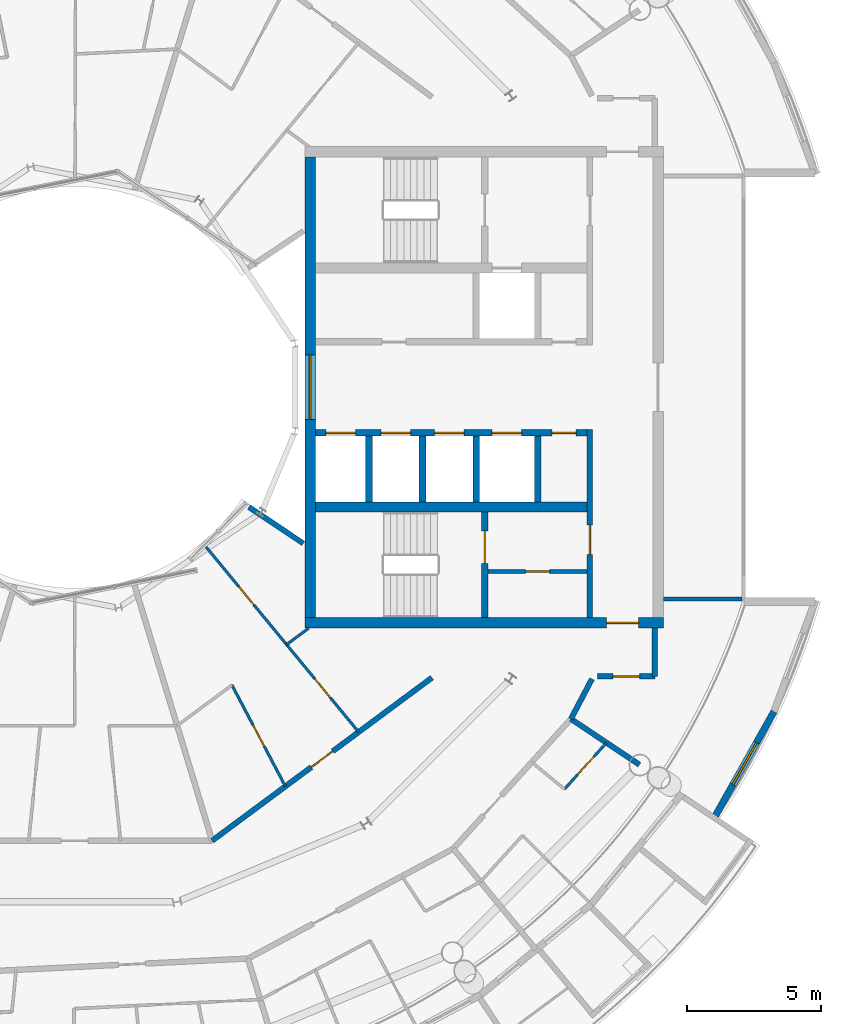
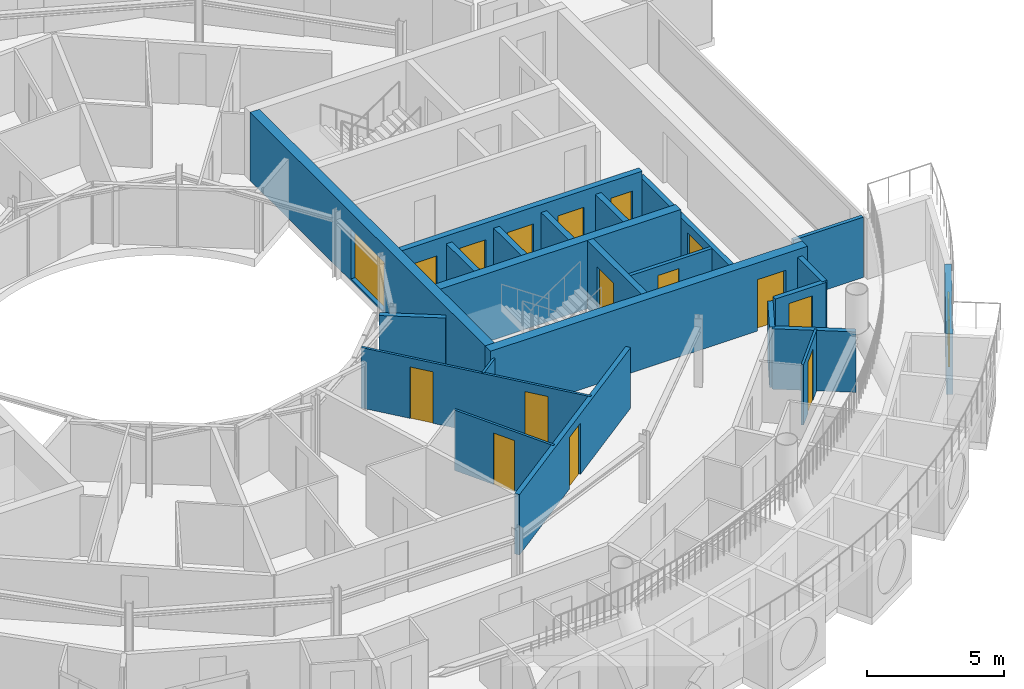
# One storey, part 18 of 29: 23 walls, 15 doors, 2 windows, 17 openings.
"""IFC4 building model written with IfcOpenShell, lengths in metres."""

from ifc_helpers import new_model, si_unit, direction, frame, frame_2d, origin, place, context, subcontext, project, spatial, rectangle, extrude, material, layer, layer_set, type_object, element, fill, save


model = new_model("IFC4")

# Units and contexts
model_context = context("Model", 3, precision=1e-05, world=origin(), true_north=direction((0.0, 1.0)))
body_context = subcontext(model_context, "Body", "Model", "MODEL_VIEW")
ifc_project = project(units=[si_unit("LENGTHUNIT", "METRE"), si_unit("AREAUNIT", "SQUARE_METRE"), si_unit("VOLUMEUNIT", "CUBIC_METRE"), si_unit("PLANEANGLEUNIT", "RADIAN"), si_unit("MASSUNIT", "GRAM", prefix="KILO")], contexts=[model_context])

# Site, building, storey
site_placement = place(None, origin())
site = spatial("IfcSite", under=ifc_project, at=site_placement, CompositionType="ELEMENT")
building_placement = place(site_placement, origin())
building = spatial("IfcBuilding", under=site, at=building_placement, Name="Maasbend Ring Residences", CompositionType="ELEMENT")
storey_placement = place(building_placement, frame((0.0, 0.0, 234.050048828125)))
storey = spatial("IfcBuildingStorey", under=building, at=storey_placement, Name="L67", CompositionType="ELEMENT", Elevation=234.050048828125)

# Wall, openings, doors
ifc_material_1 = material(Name="Concrete C50/60", Category="concrete")
ifc_layer_1 = layer(ifc_material_1, 0.25)
ifc_layer_set_1 = layer_set([ifc_layer_1], Name="Concrete C50/60")
wall_type_1 = type_object("IfcWallType", Name="CORE WALL 250 C50/60", PredefinedType="SHEAR", material=ifc_layer_set_1)
wall_1_placement = place(storey_placement, frame((19.14990234375, -1.699951171875, 0.0), z_axis=(0.0, 0.0, 1.0), x_axis=(-1.0, 0.0, 0.0)))
wall_1 = element("IfcWall", 1, at=wall_1_placement, inside=storey, type_object=wall_type_1, Name="L67 core E wall SPS", PredefinedType="SHEAR", context=body_context, shape_type="SweptSolid", body=[
    extrude(rectangle(XDim=10.14990234375, YDim=0.25, at=frame_2d((5.074951171875, 0.0))), origin(), (0.0, 0.0, 1.0), 3.050048828125),
])
opening_1_placement = place(wall_1_placement, frame((8.66259765625, 0.0, 0.0)))
opening_1 = element("IfcOpeningElement", 2, at=opening_1_placement, cuts=wall_1, Name="Opening LD-E6702", PredefinedType="OPENING", context=body_context, shape_type="SweptSolid", body=[
    extrude(rectangle(XDim=1.10009765625, YDim=2.300048828125, at=frame_2d((0.550048828125, 1.14990234375))), frame((0.0, 0.135009765625, 0.0), z_axis=(0.0, -1.0, 0.0), x_axis=(1.0, 0.0, 0.0)), (0.0, 0.0, 1.0), 0.27001953125),
])
opening_2_placement = place(wall_1_placement, frame((6.60009765625, 0.0, 0.0)))
opening_2 = element("IfcOpeningElement", 3, at=opening_2_placement, cuts=wall_1, Name="Opening LD-E6703", PredefinedType="OPENING", context=body_context, shape_type="SweptSolid", body=[
    extrude(rectangle(XDim=1.10009765625, YDim=2.300048828125, at=frame_2d((0.550048828125, 1.14990234375))), frame((0.0, 0.135009765625, 0.0), z_axis=(0.0, -1.0, 0.0), x_axis=(1.0, 0.0, 0.0)), (0.0, 0.0, 1.0), 0.27001953125),
])
opening_3_placement = place(wall_1_placement, frame((4.60009765625, 0.0, 0.0)))
opening_3 = element("IfcOpeningElement", 4, at=opening_3_placement, cuts=wall_1, Name="Opening LD-E6704", PredefinedType="OPENING", context=body_context, shape_type="SweptSolid", body=[
    extrude(rectangle(XDim=1.10009765625, YDim=2.300048828125, at=frame_2d((0.550048828125, 1.14990234375))), frame((0.0, 0.135009765625, 0.0), z_axis=(0.0, -1.0, 0.0), x_axis=(1.0, 0.0, 0.0)), (0.0, 0.0, 1.0), 0.27001953125),
])
opening_4_placement = place(wall_1_placement, frame((2.449951171875, 0.0, 0.0)))
opening_4 = element("IfcOpeningElement", 5, at=opening_4_placement, cuts=wall_1, Name="Opening LD-E6705", PredefinedType="OPENING", context=body_context, shape_type="SweptSolid", body=[
    extrude(rectangle(XDim=1.10009765625, YDim=2.300048828125, at=frame_2d((0.550048828125, 1.14990234375))), frame((0.0, 0.135009765625, 0.0), z_axis=(0.0, -1.0, 0.0), x_axis=(1.0, 0.0, 0.0)), (0.0, 0.0, 1.0), 0.27001953125),
])
opening_5_placement = place(wall_1_placement, frame((0.41259765625, 0.0, 0.0)))
opening_5 = element("IfcOpeningElement", 6, at=opening_5_placement, cuts=wall_1, Name="Opening D-E6708", PredefinedType="OPENING", context=body_context, shape_type="SweptSolid", body=[
    extrude(rectangle(XDim=0.89990234375, YDim=2.300048828125, at=frame_2d((0.449951171875, 1.14990234375))), frame((0.0, 0.135009765625, 0.0), z_axis=(0.0, -1.0, 0.0), x_axis=(1.0, 0.0, 0.0)), (0.0, 0.0, 1.0), 0.27001953125),
])
ifc_material_2 = material(Name="Stainless steel 316", Category="steel")
door_type_1 = type_object("IfcDoorType", Name="LANDING DOOR 1100 X 2300 FD60", OperationType="DOUBLE_DOOR_SLIDING", PredefinedType="DOOR", material=ifc_material_2)
door_1_placement = place(opening_1_placement, origin())
door_1 = element("IfcDoor", 7, at=door_1_placement, inside=storey, type_object=door_type_1, Name="Landing door HR-E1 L67", OperationType="DOUBLE_DOOR_SLIDING", OverallHeight=2.300048828125, OverallWidth=1.10009765625, PredefinedType="DOOR", context=body_context, shape_type="SweptSolid", body=[
    extrude(rectangle(XDim=1.10009765625, YDim=2.300048828125, at=frame_2d((0.550048828125, 1.14990234375))), frame((0.0, 0.02490234375, 0.0), z_axis=(0.0, -1.0, 0.0), x_axis=(1.0, 0.0, 0.0)), (0.0, 0.0, 1.0), 0.050048828125),
])
fill(opening_1, door_1)
door_2_placement = place(opening_2_placement, origin())
door_2 = element("IfcDoor", 8, at=door_2_placement, inside=storey, type_object=door_type_1, Name="Landing door HR-E2 L67", OperationType="DOUBLE_DOOR_SLIDING", OverallHeight=2.300048828125, OverallWidth=1.10009765625, PredefinedType="DOOR", context=body_context, shape_type="SweptSolid", body=[
    extrude(rectangle(XDim=1.10009765625, YDim=2.300048828125, at=frame_2d((0.550048828125, 1.14990234375))), frame((0.0, 0.02490234375, 0.0), z_axis=(0.0, -1.0, 0.0), x_axis=(1.0, 0.0, 0.0)), (0.0, 0.0, 1.0), 0.050048828125),
])
fill(opening_2, door_2)
door_3_placement = place(opening_3_placement, origin())
door_3 = element("IfcDoor", 9, at=door_3_placement, inside=storey, type_object=door_type_1, Name="Landing door HR-E3 L67", OperationType="DOUBLE_DOOR_SLIDING", OverallHeight=2.300048828125, OverallWidth=1.10009765625, PredefinedType="DOOR", context=body_context, shape_type="SweptSolid", body=[
    extrude(rectangle(XDim=1.10009765625, YDim=2.300048828125, at=frame_2d((0.550048828125, 1.14990234375))), frame((0.0, 0.02490234375, 0.0), z_axis=(0.0, -1.0, 0.0), x_axis=(1.0, 0.0, 0.0)), (0.0, 0.0, 1.0), 0.050048828125),
])
fill(opening_3, door_3)
door_4_placement = place(opening_4_placement, origin())
door_4 = element("IfcDoor", 10, at=door_4_placement, inside=storey, type_object=door_type_1, Name="Landing door SV-E L67", OperationType="DOUBLE_DOOR_SLIDING", OverallHeight=2.300048828125, OverallWidth=1.10009765625, PredefinedType="DOOR", context=body_context, shape_type="SweptSolid", body=[
    extrude(rectangle(XDim=1.10009765625, YDim=2.300048828125, at=frame_2d((0.550048828125, 1.14990234375))), frame((0.0, 0.02490234375, 0.0), z_axis=(0.0, -1.0, 0.0), x_axis=(1.0, 0.0, 0.0)), (0.0, 0.0, 1.0), 0.050048828125),
])
fill(opening_4, door_4)
ifc_material_3 = material(Name="Steel, powder coated", Category="steel")
door_type_2 = type_object("IfcDoorType", Name="ROOM DOOR 900 X 2300 FD30S", OperationType="NOTDEFINED", PredefinedType="DOOR", material=ifc_material_3)
door_5_placement = place(opening_5_placement, origin())
door_5 = element("IfcDoor", 11, at=door_5_placement, inside=storey, type_object=door_type_2, Name="Room door L67", OperationType="SINGLE_SWING_RIGHT", OverallHeight=2.300048828125, OverallWidth=0.89990234375, PredefinedType="DOOR", context=body_context, shape_type="SweptSolid", body=[
    extrude(rectangle(XDim=0.89990234375, YDim=2.300048828125, at=frame_2d((0.449951171875, 1.14990234375))), frame((0.0, 0.02490234375, 0.0), z_axis=(0.0, -1.0, 0.0), x_axis=(1.0, 0.0, 0.0)), (0.0, 0.0, 1.0), 0.050048828125),
])
fill(opening_5, door_5)

# Wall, opening, door
wall_2_placement = place(storey_placement, frame((15.324951171875, -8.60009765625, 0.0), z_axis=(0.0, 0.0, 1.0), x_axis=(0.0, 1.0, 0.0)))
wall_2 = element("IfcWall", 12, at=wall_2_placement, inside=storey, type_object=wall_type_1, Name="L67 core E wall STES", PredefinedType="SHEAR", context=body_context, shape_type="SweptSolid", body=[
    extrude(rectangle(XDim=3.9501953125, YDim=0.25, at=frame_2d((1.97509765625, 0.0))), origin(), (0.0, 0.0, 1.0), 3.050048828125),
])
opening_6_placement = place(wall_2_placement, frame((2.02490234375, 0.0, 0.0)))
opening_6 = element("IfcOpeningElement", 13, at=opening_6_placement, cuts=wall_2, Name="Opening D-E6711", PredefinedType="OPENING", context=body_context, shape_type="SweptSolid", body=[
    extrude(rectangle(XDim=1.199951171875, YDim=2.300048828125, at=frame_2d((0.60009765625, 1.14990234375))), frame((0.0, 0.135009765625, 0.0), z_axis=(0.0, -1.0, 0.0), x_axis=(1.0, 0.0, 0.0)), (0.0, 0.0, 1.0), 0.27001953125),
])
ifc_material_4 = material(Name="Steel, powder coated", Category="steel")
door_type_3 = type_object("IfcDoorType", Name="STAIR DOOR 1200 X 2300 FD60", OperationType="NOTDEFINED", PredefinedType="DOOR", material=ifc_material_4)
door_6_placement = place(opening_6_placement, origin())
door_6 = element("IfcDoor", 14, at=door_6_placement, inside=storey, type_object=door_type_3, Name="Stair door ST-E L67", OperationType="SINGLE_SWING_LEFT", OverallHeight=2.300048828125, OverallWidth=1.199951171875, PredefinedType="DOOR", context=body_context, shape_type="SweptSolid", body=[
    extrude(rectangle(XDim=1.199951171875, YDim=2.300048828125, at=frame_2d((0.60009765625, 1.14990234375))), frame((0.0, 0.02490234375, 0.0), z_axis=(0.0, -1.0, 0.0), x_axis=(1.0, 0.0, 0.0)), (0.0, 0.0, 1.0), 0.050048828125),
])
fill(opening_6, door_6)

# Wall
ifc_material_5 = material(Name="Concrete C50/60", Category="concrete")
ifc_layer_2 = layer(ifc_material_5, 0.375)
ifc_layer_set_2 = layer_set([ifc_layer_2], Name="Concrete C50/60")
wall_type_2 = type_object("IfcWallType", Name="CORE WALL 375 C50/60", PredefinedType="SHEAR", material=ifc_layer_set_2)
wall_3_placement = place(storey_placement, frame((9.0, -4.46240234375, 0.0), z_axis=(0.0, 0.0, 1.0), x_axis=(1.0, 0.0, 0.0)))
element("IfcWall", 15, at=wall_3_placement, inside=storey, type_object=wall_type_2, Name="L67 core E wall BS", PredefinedType="SHEAR", context=body_context, shape_type="SweptSolid", body=[
    extrude(rectangle(XDim=10.14990234375, YDim=0.375, at=frame_2d((5.074951171875, 0.0))), origin(), (0.0, 0.0, 1.0), 3.050048828125),
])

# Wall, opening, door
ifc_material_6 = material(Name="Concrete C50/60", Category="concrete")
ifc_layer_3 = layer(ifc_material_6, 0.39990234375)
ifc_layer_set_3 = layer_set([ifc_layer_3], Name="Concrete C50/60")
wall_type_3 = type_object("IfcWallType", Name="CORE WALL 400 C50/60", PredefinedType="SHEAR", material=ifc_layer_set_3)
wall_4_placement = place(storey_placement, frame((8.60009765625, -8.800048828125, 0.0), z_axis=(0.0, 0.0, 1.0), x_axis=(1.0, 0.0, 0.0)))
wall_4 = element("IfcWall", 16, at=wall_4_placement, inside=storey, type_object=wall_type_3, Name="L67 core E wall PS", PredefinedType="SHEAR", context=body_context, shape_type="SweptSolid", body=[
    extrude(rectangle(XDim=13.39990234375, YDim=0.39990234375, at=frame_2d((6.699951171875, 0.0))), origin(), (0.0, 0.0, 1.0), 3.050048828125),
])
opening_7_placement = place(wall_4_placement, frame((11.27490234375, 0.0, 0.0)))
opening_7 = element("IfcOpeningElement", 17, at=opening_7_placement, cuts=wall_4, Name="Opening D-E6715", PredefinedType="OPENING", context=body_context, shape_type="SweptSolid", body=[
    extrude(rectangle(XDim=1.199951171875, YDim=2.300048828125, at=frame_2d((0.60009765625, 1.14990234375))), frame((0.0, 0.2099609375, 0.0), z_axis=(0.0, -1.0, 0.0), x_axis=(1.0, 0.0, 0.0)), (0.0, 0.0, 1.0), 0.419921875),
])
ifc_material_7 = material(Name="Steel, powder coated", Category="steel")
door_type_4 = type_object("IfcDoorType", Name="CORRIDOR DOOR 1200 X 2300 FD30S", OperationType="NOTDEFINED", PredefinedType="DOOR", material=ifc_material_7)
door_7_placement = place(opening_7_placement, origin())
door_7 = element("IfcDoor", 18, at=door_7_placement, inside=storey, type_object=door_type_4, Name="Corridor door L67", OperationType="SINGLE_SWING_LEFT", OverallHeight=2.300048828125, OverallWidth=1.199951171875, PredefinedType="DOOR", context=body_context, shape_type="SweptSolid", body=[
    extrude(rectangle(XDim=1.199951171875, YDim=2.300048828125, at=frame_2d((0.60009765625, 1.14990234375))), frame((0.0, 0.02490234375, 0.0), z_axis=(0.0, -1.0, 0.0), x_axis=(1.0, 0.0, 0.0)), (0.0, 0.0, 1.0), 0.050048828125),
])
fill(opening_7, door_7)

# Wall, opening, window
wall_5_placement = place(storey_placement, frame((8.800048828125, -8.60009765625, 0.0), z_axis=(0.0, 0.0, 1.0), x_axis=(0.0, 1.0, 0.0)))
wall_5 = element("IfcWall", 19, at=wall_5_placement, inside=storey, type_object=wall_type_3, Name="L67 core E wall PIN", PredefinedType="SHEAR", context=body_context, shape_type="SweptSolid", body=[
    extrude(rectangle(XDim=17.2001953125, YDim=0.39990234375, at=frame_2d((8.60009765625, 0.0))), origin(), (0.0, 0.0, 1.0), 3.050048828125),
])
opening_8_placement = place(wall_5_placement, frame((7.39990234375, 0.0, 0.10009765625)))
opening_8 = element("IfcOpeningElement", 20, at=opening_8_placement, cuts=wall_5, Name="Opening W-E6701", PredefinedType="OPENING", context=body_context, shape_type="SweptSolid", body=[
    extrude(rectangle(XDim=2.39990234375, YDim=2.199951171875, at=frame_2d((1.199951171875, 1.10009765625))), frame((0.0, 0.2099609375, 0.0), z_axis=(0.0, -1.0, 0.0), x_axis=(1.0, 0.0, 0.0)), (0.0, 0.0, 1.0), 0.419921875),
])
ifc_material_8 = material(Name="Aluminium frame and clear glass", Category="aluminium")
window_type_1 = type_object("IfcWindowType", Name="FIXED WINDOW 2400 X 2200", PartitioningType="SINGLE_PANEL", PredefinedType="WINDOW", material=ifc_material_8)
window_1_placement = place(opening_8_placement, origin())
window_1 = element("IfcWindow", 21, at=window_1_placement, inside=storey, type_object=window_type_1, Name="Lobby window L67", OverallHeight=2.199951171875, OverallWidth=2.39990234375, PartitioningType="SINGLE_PANEL", PredefinedType="WINDOW", context=body_context, shape_type="SweptSolid", body=[
    extrude(rectangle(XDim=2.39990234375, YDim=2.199951171875, at=frame_2d((1.199951171875, 1.10009765625))), frame((0.0, 0.030029296875, 0.0), z_axis=(0.0, -1.0, 0.0), x_axis=(1.0, 0.0, 0.0)), (0.0, 0.0, 1.0), 0.06005859375),
])
fill(opening_8, window_1)

# Walls
ifc_material_9 = material(Name="Concrete C30/37", Category="concrete")
ifc_layer_4 = layer(ifc_material_9, 0.199951171875)
ifc_layer_set_4 = layer_set([ifc_layer_4], Name="Concrete C30/37")
wall_type_4 = type_object("IfcWallType", Name="CORRIDOR WALL 200 CONCRETE", PredefinedType="PARTITIONING", material=ifc_layer_set_4)
wall_6_placement = place(storey_placement, frame((18.5419921875, -12.388916015625, 0.0), z_axis=(0.0, 0.0, 1.0), x_axis=(0.465812036273, 0.88488369115, 0.0)))
element("IfcWall", 22, at=wall_6_placement, inside=storey, type_object=wall_type_4, Name="U-L67-w012", PredefinedType="PARTITIONING", context=body_context, shape_type="SweptSolid", body=[
    extrude(rectangle(XDim=1.687255859375, YDim=0.199951171875, at=frame_2d((0.84375, 0.0))), origin(), (0.0, 0.0, 1.0), 2.699951171875),
])
wall_7_placement = place(storey_placement, frame((21.675048828125, -10.800048828125, 0.0), z_axis=(0.0, 0.0, 1.0), x_axis=(0.0, 1.0, 0.0)))
element("IfcWall", 23, at=wall_7_placement, inside=storey, type_object=wall_type_4, Name="U-L67-w017", PredefinedType="PARTITIONING", context=body_context, shape_type="SweptSolid", body=[
    extrude(rectangle(XDim=1.800048828125, YDim=0.199951171875, at=frame_2d((0.89990234375, 0.0))), origin(), (0.0, 0.0, 1.0), 2.699951171875),
])

# Wall, opening, door
wall_8_placement = place(storey_placement, frame((5.136962890625, -16.93798828125, 0.0), z_axis=(0.0, 0.0, 1.0), x_axis=(0.803229232922, 0.595670042371, 0.0)))
wall_8 = element("IfcWall", 24, at=wall_8_placement, inside=storey, type_object=wall_type_4, Name="U-L67-w022", PredefinedType="PARTITIONING", context=body_context, shape_type="SweptSolid", body=[
    extrude(rectangle(XDim=10.223876953125, YDim=0.199951171875, at=frame_2d((5.11181640625, 0.0))), origin(), (0.0, 0.0, 1.0), 2.699951171875),
])
opening_9_placement = place(wall_8_placement, frame((4.612060546875, 0.0, 0.0)))
opening_9 = element("IfcOpeningElement", 25, at=opening_9_placement, cuts=wall_8, Name="Opening D-6762", PredefinedType="OPENING", context=body_context, shape_type="SweptSolid", body=[
    extrude(rectangle(XDim=1.0, YDim=2.300048828125, at=frame_2d((0.5, 1.14990234375))), frame((0.0, 0.10986328125, 0.0), z_axis=(0.0, -1.0, 0.0), x_axis=(1.0, 0.0, 0.0)), (0.0, 0.0, 1.0), 0.219970703125),
])
ifc_material_10 = material(Name="Timber, fire-rated, painted", Category="wood")
door_type_5 = type_object("IfcDoorType", Name="FLAT ENTRANCE DOOR 1000 X 2300 FIRE-RATED", OperationType="NOTDEFINED", PredefinedType="DOOR", material=ifc_material_10)
door_8_placement = place(opening_9_placement, origin())
door_8 = element("IfcDoor", 26, at=door_8_placement, inside=storey, type_object=door_type_5, Name="D-6762", OperationType="SINGLE_SWING_RIGHT", OverallHeight=2.300048828125, OverallWidth=1.0, PredefinedType="DOOR", context=body_context, shape_type="SweptSolid", body=[
    extrude(rectangle(XDim=1.0, YDim=2.300048828125, at=frame_2d((0.5, 1.14990234375))), frame((0.0, 0.02490234375, 0.0), z_axis=(0.0, -1.0, 0.0), x_axis=(1.0, 0.0, 0.0)), (0.0, 0.0, 1.0), 0.050048828125),
])
fill(opening_9, door_8)

wall_9_placement = place(storey_placement, frame((19.54296875, -10.800048828125, 0.0), z_axis=(0.0, 0.0, 1.0), x_axis=(1.0, 0.0, 0.0)))
wall_9 = element("IfcWall", 27, at=wall_9_placement, inside=storey, type_object=wall_type_4, Name="U-L67-w030", PredefinedType="PARTITIONING", context=body_context, shape_type="SweptSolid", body=[
    extrude(rectangle(XDim=2.132080078125, YDim=0.199951171875, at=frame_2d((1.06591796875, 0.0))), origin(), (0.0, 0.0, 1.0), 2.699951171875),
])
opening_10_placement = place(wall_9_placement, frame((0.56591796875, 0.0, 0.0)))
opening_10 = element("IfcOpeningElement", 28, at=opening_10_placement, cuts=wall_9, Name="Opening D-6768", PredefinedType="OPENING", context=body_context, shape_type="SweptSolid", body=[
    extrude(rectangle(XDim=1.0, YDim=2.300048828125, at=frame_2d((0.5, 1.14990234375))), frame((0.0, 0.10986328125, 0.0), z_axis=(0.0, -1.0, 0.0), x_axis=(1.0, 0.0, 0.0)), (0.0, 0.0, 1.0), 0.219970703125),
])
ifc_material_11 = material(Name="Timber, painted", Category="wood")
door_type_6 = type_object("IfcDoorType", Name="ROOM DOOR 1000 X 2300", OperationType="NOTDEFINED", PredefinedType="DOOR", material=ifc_material_11)
door_9_placement = place(opening_10_placement, origin())
door_9 = element("IfcDoor", 29, at=door_9_placement, inside=storey, type_object=door_type_6, Name="D-6768", OperationType="SINGLE_SWING_RIGHT", OverallHeight=2.300048828125, OverallWidth=1.0, PredefinedType="DOOR", context=body_context, shape_type="SweptSolid", body=[
    extrude(rectangle(XDim=1.0, YDim=2.300048828125, at=frame_2d((0.5, 1.14990234375))), frame((0.0, 0.02490234375, 0.0), z_axis=(0.0, -1.0, 0.0), x_axis=(1.0, 0.0, 0.0)), (0.0, 0.0, 1.0), 0.050048828125),
])
fill(opening_10, door_9)

# Wall, opening, window
ifc_material_12 = material(Name="Aluminium clad insulated panel", Category="aluminium")
ifc_layer_5 = layer(ifc_material_12, 0.25)
ifc_layer_set_5 = layer_set([ifc_layer_5], Name="EW-HORN")
wall_type_5 = type_object("IfcWallType", Name="EW-HORN", PredefinedType="SOLIDWALL", material=ifc_layer_set_5)
wall_10_placement = place(storey_placement, frame((23.946044921875, -16.0, 0.0), z_axis=(0.0, 0.0, 1.0), x_axis=(0.489696356642, 0.871893042919, 0.0)))
wall_10 = element("IfcWall", 30, at=wall_10_placement, inside=storey, type_object=wall_type_5, Name="Horn wall 2.1", PredefinedType="SOLIDWALL", context=body_context, shape_type="SweptSolid", body=[
    extrude(rectangle(XDim=4.45361328125, YDim=0.25, at=frame_2d((2.226806640625, 0.0))), origin(), (0.0, 0.0, 1.0), 2.699951171875),
])
opening_11_placement = place(wall_10_placement, frame((1.32666015625, 0.0, 0.300048828125)))
opening_11 = element("IfcOpeningElement", 31, at=opening_11_placement, cuts=wall_10, Name="Opening W-BX", PredefinedType="OPENING", context=body_context, shape_type="SweptSolid", body=[
    extrude(rectangle(XDim=1.800048828125, YDim=2.10009765625, at=frame_2d((0.89990234375, 1.050048828125))), frame((0.0, 0.135009765625, 0.0), z_axis=(0.0, -1.0, 0.0), x_axis=(1.0, 0.0, 0.0)), (0.0, 0.0, 1.0), 0.27001953125),
])
ifc_material_13 = material(Name="Aluminium and clear glass", Category="aluminium")
window_type_2 = type_object("IfcWindowType", Name="W-BX", PartitioningType="DOUBLE_PANEL_VERTICAL", PredefinedType="WINDOW", material=ifc_material_13)
window_2_placement = place(opening_11_placement, origin())
window_2 = element("IfcWindow", 32, at=window_2_placement, inside=storey, type_object=window_type_2, Name="Horn window 2.1", OverallHeight=2.10009765625, OverallWidth=1.800048828125, PartitioningType="SINGLE_PANEL", PredefinedType="WINDOW", context=body_context, shape_type="SweptSolid", body=[
    extrude(rectangle(XDim=1.800048828125, YDim=2.10009765625, at=frame_2d((0.89990234375, 1.050048828125))), frame((0.0, 0.030029296875, 0.0), z_axis=(0.0, -1.0, 0.0), x_axis=(1.0, 0.0, 0.0)), (0.0, 0.0, 1.0), 0.06005859375),
])
fill(opening_11, window_2)

# Wall, opening, door
ifc_material_14 = material(Name="Gypsum board on steel studs", Category="steel")
ifc_layer_6 = layer(ifc_material_14, 0.10009765625)
ifc_layer_set_6 = layer_set([ifc_layer_6], Name="PARTITION 100 GYPSUM")
wall_type_6 = type_object("IfcWallType", Name="PARTITION 100 GYPSUM", PredefinedType="PARTITIONING", material=ifc_layer_set_6)
wall_11_placement = place(storey_placement, frame((18.302001953125, -15.010009765625, 0.0), z_axis=(0.0, 0.0, 1.0), x_axis=(0.671637685376, 0.740879760544, 0.0)))
wall_11 = element("IfcWall", 33, at=wall_11_placement, inside=storey, type_object=wall_type_6, Name="U-L67-w002", PredefinedType="PARTITIONING", context=body_context, shape_type="SweptSolid", body=[
    extrude(rectangle(XDim=2.337646484375, YDim=0.10009765625, at=frame_2d((1.1689453125, 0.0))), origin(), (0.0, 0.0, 1.0), 2.699951171875),
])
opening_12_placement = place(wall_11_placement, frame((0.718994140625, 0.0, 0.0)))
opening_12 = element("IfcOpeningElement", 34, at=opening_12_placement, cuts=wall_11, Name="Opening D-6752", PredefinedType="OPENING", context=body_context, shape_type="SweptSolid", body=[
    extrude(rectangle(XDim=0.89990234375, YDim=2.300048828125, at=frame_2d((0.449951171875, 1.14990234375))), frame((0.0, 0.06005859375, 0.0), z_axis=(0.0, -1.0, 0.0), x_axis=(1.0, 0.0, 0.0)), (0.0, 0.0, 1.0), 0.1201171875),
])
ifc_material_15 = material(Name="Timber, painted", Category="wood")
door_type_7 = type_object("IfcDoorType", Name="INTERNAL DOOR 900 X 2300", OperationType="NOTDEFINED", PredefinedType="DOOR", material=ifc_material_15)
door_10_placement = place(opening_12_placement, origin())
door_10 = element("IfcDoor", 35, at=door_10_placement, inside=storey, type_object=door_type_7, Name="D-6752", OperationType="SINGLE_SWING_LEFT", OverallHeight=2.300048828125, OverallWidth=0.89990234375, PredefinedType="DOOR", context=body_context, shape_type="SweptSolid", body=[
    extrude(rectangle(XDim=0.89990234375, YDim=2.300048828125, at=frame_2d((0.449951171875, 1.14990234375))), frame((0.0, 0.02490234375, 0.0), z_axis=(0.0, -1.0, 0.0), x_axis=(1.0, 0.0, 0.0)), (0.0, 0.0, 1.0), 0.050048828125),
])
fill(opening_12, door_10)

# Wall
wall_12_placement = place(storey_placement, frame((7.9189453125, -9.611083984375, 0.0), z_axis=(0.0, 0.0, 1.0), x_axis=(0.80321556998, 0.595688465677, 0.0)))
element("IfcWall", 36, at=wall_12_placement, inside=storey, type_object=wall_type_6, Name="U-L67-w028", PredefinedType="PARTITIONING", context=body_context, shape_type="SweptSolid", body=[
    extrude(rectangle(XDim=1.02587890625, YDim=0.10009765625, at=frame_2d((0.512939453125, 0.0))), origin(), (0.0, 0.0, 1.0), 2.699951171875),
])

# Wall, openings, doors
wall_13_placement = place(storey_placement, frame((4.907958984375, -5.958984375, 0.0), z_axis=(0.0, 0.0, 1.0), x_axis=(0.636115614725, -0.771593756262, 0.0)))
wall_13 = element("IfcWall", 37, at=wall_13_placement, inside=storey, type_object=wall_type_6, Name="U-L67-w076", PredefinedType="PARTITIONING", context=body_context, shape_type="SweptSolid", body=[
    extrude(rectangle(XDim=8.967041015625, YDim=0.10009765625, at=frame_2d((4.4833984375, 0.0))), origin(), (0.0, 0.0, 1.0), 2.699951171875),
])
opening_13_placement = place(wall_13_placement, frame((6.39990234375, 0.0, 0.0)))
opening_13 = element("IfcOpeningElement", 38, at=opening_13_placement, cuts=wall_13, Name="Opening D-6764", PredefinedType="OPENING", context=body_context, shape_type="SweptSolid", body=[
    extrude(rectangle(XDim=0.89990234375, YDim=2.300048828125, at=frame_2d((0.449951171875, 1.14990234375))), frame((0.0, 0.06005859375, 0.0), z_axis=(0.0, -1.0, 0.0), x_axis=(1.0, 0.0, 0.0)), (0.0, 0.0, 1.0), 0.1201171875),
])
opening_14_placement = place(wall_13_placement, frame((1.9169921875, 0.0, 0.0)))
opening_14 = element("IfcOpeningElement", 39, at=opening_14_placement, cuts=wall_13, Name="Opening D-6765", PredefinedType="OPENING", context=body_context, shape_type="SweptSolid", body=[
    extrude(rectangle(XDim=0.89990234375, YDim=2.300048828125, at=frame_2d((0.449951171875, 1.14990234375))), frame((0.0, 0.06005859375, 0.0), z_axis=(0.0, -1.0, 0.0), x_axis=(1.0, 0.0, 0.0)), (0.0, 0.0, 1.0), 0.1201171875),
])
door_11_placement = place(opening_13_placement, origin())
door_11 = element("IfcDoor", 40, at=door_11_placement, inside=storey, type_object=door_type_7, Name="D-6764", OperationType="SINGLE_SWING_RIGHT", OverallHeight=2.300048828125, OverallWidth=0.89990234375, PredefinedType="DOOR", context=body_context, shape_type="SweptSolid", body=[
    extrude(rectangle(XDim=0.89990234375, YDim=2.300048828125, at=frame_2d((0.449951171875, 1.14990234375))), frame((0.0, 0.02490234375, 0.0), z_axis=(0.0, -1.0, 0.0), x_axis=(1.0, 0.0, 0.0)), (0.0, 0.0, 1.0), 0.050048828125),
])
fill(opening_13, door_11)
door_12_placement = place(opening_14_placement, origin())
door_12 = element("IfcDoor", 41, at=door_12_placement, inside=storey, type_object=door_type_7, Name="D-6765", OperationType="SINGLE_SWING_LEFT", OverallHeight=2.300048828125, OverallWidth=0.89990234375, PredefinedType="DOOR", context=body_context, shape_type="SweptSolid", body=[
    extrude(rectangle(XDim=0.89990234375, YDim=2.300048828125, at=frame_2d((0.449951171875, 1.14990234375))), frame((0.0, 0.02490234375, 0.0), z_axis=(0.0, -1.0, 0.0), x_axis=(1.0, 0.0, 0.0)), (0.0, 0.0, 1.0), 0.050048828125),
])
fill(opening_14, door_12)

# Wall, opening, door
wall_14_placement = place(storey_placement, frame((5.876953125, -11.125, 0.0), z_axis=(0.0, 0.0, 1.0), x_axis=(0.467030118529, -0.884241408432, 0.0)))
wall_14 = element("IfcWall", 42, at=wall_14_placement, inside=storey, type_object=wall_type_6, Name="U-L67-w078", PredefinedType="PARTITIONING", context=body_context, shape_type="SweptSolid", body=[
    extrude(rectangle(XDim=4.278076171875, YDim=0.10009765625, at=frame_2d((2.13916015625, 0.0))), origin(), (0.0, 0.0, 1.0), 2.699951171875),
])
opening_15_placement = place(wall_14_placement, frame((1.68896484375, 0.0, 0.0)))
opening_15 = element("IfcOpeningElement", 43, at=opening_15_placement, cuts=wall_14, Name="Opening D-6763", PredefinedType="OPENING", context=body_context, shape_type="SweptSolid", body=[
    extrude(rectangle(XDim=0.89990234375, YDim=2.300048828125, at=frame_2d((0.449951171875, 1.14990234375))), frame((0.0, 0.06005859375, 0.0), z_axis=(0.0, -1.0, 0.0), x_axis=(1.0, 0.0, 0.0)), (0.0, 0.0, 1.0), 0.1201171875),
])
door_13_placement = place(opening_15_placement, origin())
door_13 = element("IfcDoor", 44, at=door_13_placement, inside=storey, type_object=door_type_7, Name="D-6763", OperationType="SINGLE_SWING_RIGHT", OverallHeight=2.300048828125, OverallWidth=0.89990234375, PredefinedType="DOOR", context=body_context, shape_type="SweptSolid", body=[
    extrude(rectangle(XDim=0.89990234375, YDim=2.300048828125, at=frame_2d((0.449951171875, 1.14990234375))), frame((0.0, 0.02490234375, 0.0), z_axis=(0.0, -1.0, 0.0), x_axis=(1.0, 0.0, 0.0)), (0.0, 0.0, 1.0), 0.050048828125),
])
fill(opening_15, door_13)

ifc_material_16 = material(Name="Gypsum board on steel studs", Category="steel")
ifc_layer_7 = layer(ifc_material_16, 0.14990234375)
ifc_layer_set_7 = layer_set([ifc_layer_7], Name="PARTITION 150 EI 60")
wall_type_7 = type_object("IfcWallType", Name="PARTITION 150 EI 60", PredefinedType="PARTITIONING", material=ifc_layer_set_7)
wall_15_placement = place(storey_placement, frame((15.449951171875, -6.875, 0.0), z_axis=(0.0, 0.0, 1.0), x_axis=(1.0, 0.0, 0.0)))
wall_15 = element("IfcWall", 45, at=wall_15_placement, inside=storey, type_object=wall_type_7, Name="L67 core E wall RHS", PredefinedType="PARTITIONING", context=body_context, shape_type="SweptSolid", body=[
    extrude(rectangle(XDim=3.699951171875, YDim=0.14990234375, at=frame_2d((1.85009765625, 0.0))), origin(), (0.0, 0.0, 1.0), 2.699951171875),
])
opening_16_placement = place(wall_15_placement, frame((1.39990234375, 0.0, 0.0)))
opening_16 = element("IfcOpeningElement", 46, at=opening_16_placement, cuts=wall_15, Name="Opening D-E6709", PredefinedType="OPENING", context=body_context, shape_type="SweptSolid", body=[
    extrude(rectangle(XDim=0.89990234375, YDim=2.300048828125, at=frame_2d((0.449951171875, 1.14990234375))), frame((0.0, 0.0849609375, 0.0), z_axis=(0.0, -1.0, 0.0), x_axis=(1.0, 0.0, 0.0)), (0.0, 0.0, 1.0), 0.169921875),
])
ifc_material_17 = material(Name="Steel, powder coated", Category="steel")
door_type_8 = type_object("IfcDoorType", Name="RISER DOOR 900 X 2300 FD60", OperationType="NOTDEFINED", PredefinedType="DOOR", material=ifc_material_17)
door_14_placement = place(opening_16_placement, origin())
door_14 = element("IfcDoor", 47, at=door_14_placement, inside=storey, type_object=door_type_8, Name="Riser door L67", OperationType="SINGLE_SWING_LEFT", OverallHeight=2.300048828125, OverallWidth=0.89990234375, PredefinedType="DOOR", context=body_context, shape_type="SweptSolid", body=[
    extrude(rectangle(XDim=0.89990234375, YDim=2.300048828125, at=frame_2d((0.449951171875, 1.14990234375))), frame((0.0, 0.02490234375, 0.0), z_axis=(0.0, -1.0, 0.0), x_axis=(1.0, 0.0, 0.0)), (0.0, 0.0, 1.0), 0.050048828125),
])
fill(opening_16, door_14)

# Walls
wall_16_placement = place(storey_placement, frame((22.0, -7.89990234375, 0.0), z_axis=(0.0, 0.0, 1.0), x_axis=(1.0, 0.0, 0.0)))
element("IfcWall", 48, at=wall_16_placement, inside=storey, type_object=wall_type_7, Name="L67 core E wall CITS", PredefinedType="PARTITIONING", context=body_context, shape_type="SweptSolid", body=[
    extrude(rectangle(XDim=2.93994140625, YDim=0.14990234375, at=frame_2d((1.469970703125, 0.0))), origin(), (0.0, 0.0, 1.0), 2.699951171875),
])
ifc_material_18 = material(Name="Concrete C30/37", Category="concrete")
ifc_layer_8 = layer(ifc_material_18, 0.199951171875)
ifc_layer_set_8 = layer_set([ifc_layer_8], Name="Concrete C30/37")
wall_type_8 = type_object("IfcWallType", Name="PARTY WALL 200 CONCRETE", PredefinedType="PARTITIONING", material=ifc_layer_set_8)
wall_17_placement = place(storey_placement, frame((6.512939453125, -4.471923828125, 0.0), z_axis=(0.0, 0.0, 1.0), x_axis=(0.831450132577, -0.555599385382, 0.0)))
element("IfcWall", 49, at=wall_17_placement, inside=storey, type_object=wall_type_8, Name="U-L67-w032", PredefinedType="PARTITIONING", context=body_context, shape_type="SweptSolid", body=[
    extrude(rectangle(XDim=2.442626953125, YDim=0.199951171875, at=frame_2d((1.22119140625, 0.0))), origin(), (0.0, 0.0, 1.0), 2.699951171875),
])
wall_18_placement = place(storey_placement, frame((18.5419921875, -12.388916015625, 0.0), z_axis=(0.0, 0.0, 1.0), x_axis=(0.831340764735, -0.555763018642, 0.0)))
element("IfcWall", 50, at=wall_18_placement, inside=storey, type_object=wall_type_8, Name="U-L67-w092", PredefinedType="PARTITIONING", context=body_context, shape_type="SweptSolid", body=[
    extrude(rectangle(XDim=3.0732421875, YDim=0.199951171875, at=frame_2d((1.53662109375, 0.0))), origin(), (0.0, 0.0, 1.0), 2.699951171875),
])

# Wall, opening, door
ifc_material_19 = material(Name="Concrete C30/37", Category="concrete")
ifc_layer_9 = layer(ifc_material_19, 0.199951171875)
ifc_layer_set_9 = layer_set([ifc_layer_9], Name="Concrete C30/37")
wall_type_9 = type_object("IfcWallType", Name="SHAFT WALL 200 EI 120", PredefinedType="SOLIDWALL", material=ifc_layer_set_9)
wall_19_placement = place(storey_placement, frame((19.25, -8.60009765625, 0.0), z_axis=(0.0, 0.0, 1.0), x_axis=(0.0, 1.0, 0.0)))
wall_19 = element("IfcWall", 51, at=wall_19_placement, inside=storey, type_object=wall_type_9, Name="L67 core E wall ENDS", PredefinedType="SOLIDWALL", context=body_context, shape_type="SweptSolid", body=[
    extrude(rectangle(XDim=7.025146484375, YDim=0.199951171875, at=frame_2d((3.5126953125, 0.0))), origin(), (0.0, 0.0, 1.0), 2.699951171875),
])
opening_17_placement = place(wall_19_placement, frame((2.35009765625, 0.0, 0.0)))
opening_17 = element("IfcOpeningElement", 52, at=opening_17_placement, cuts=wall_19, Name="Opening D-E6713", PredefinedType="OPENING", context=body_context, shape_type="SweptSolid", body=[
    extrude(rectangle(XDim=1.10009765625, YDim=2.300048828125, at=frame_2d((0.550048828125, 1.14990234375))), frame((0.0, 0.10986328125, 0.0), z_axis=(0.0, -1.0, 0.0), x_axis=(1.0, 0.0, 0.0)), (0.0, 0.0, 1.0), 0.219970703125),
])
ifc_material_20 = material(Name="Steel, powder coated", Category="steel")
door_type_9 = type_object("IfcDoorType", Name="LOBBY DOOR 1100 X 2300 FD60", OperationType="NOTDEFINED", PredefinedType="DOOR", material=ifc_material_20)
door_15_placement = place(opening_17_placement, origin())
door_15 = element("IfcDoor", 53, at=door_15_placement, inside=storey, type_object=door_type_9, Name="Lobby door L67", OperationType="SINGLE_SWING_RIGHT", OverallHeight=2.300048828125, OverallWidth=1.10009765625, PredefinedType="DOOR", context=body_context, shape_type="SweptSolid", body=[
    extrude(rectangle(XDim=1.10009765625, YDim=2.300048828125, at=frame_2d((0.550048828125, 1.14990234375))), frame((0.0, 0.02490234375, 0.0), z_axis=(0.0, -1.0, 0.0), x_axis=(1.0, 0.0, 0.0)), (0.0, 0.0, 1.0), 0.050048828125),
])
fill(opening_17, door_15)

# Walls
ifc_material_21 = material(Name="Concrete C30/37", Category="concrete")
ifc_layer_10 = layer(ifc_material_21, 0.25)
ifc_layer_set_10 = layer_set([ifc_layer_10], Name="Concrete C30/37")
wall_type_10 = type_object("IfcWallType", Name="SHAFT WALL 250 EI 120", PredefinedType="SOLIDWALL", material=ifc_layer_set_10)
for number, where, z_axis, x_axis, name in (
    (54, (15.0, -1.824951171875, 0.0), (0.0, 0.0, 1.0), (0.0, -1.0, 0.0), "L67 core E wall D150S"),
    (55, (17.300048828125, -1.824951171875, 0.0), (0.0, 0.0, 1.0), (0.0, -1.0, 0.0), "L67 core E wall D173S"),
    (56, (11.0, -1.824951171875, 0.0), (0.0, 0.0, 1.0), (0.0, -1.0, 0.0), "L67 core E wall D110S"),
    (57, (13.0, -1.824951171875, 0.0), (0.0, 0.0, 1.0), (0.0, -1.0, 0.0), "L67 core E wall D130S"),
):
    element("IfcWall", number, at=place(storey_placement, frame(where, z_axis=z_axis, x_axis=x_axis)), inside=storey, type_object=wall_type_10, Name=name, PredefinedType="SOLIDWALL", context=body_context, shape_type="SweptSolid", body=[
        extrude(rectangle(XDim=2.449951171875, YDim=0.25, at=frame_2d((1.22509765625, 0.0))), origin(), (0.0, 0.0, 1.0), 2.699951171875),
    ])

save(model, "model.ifc")
